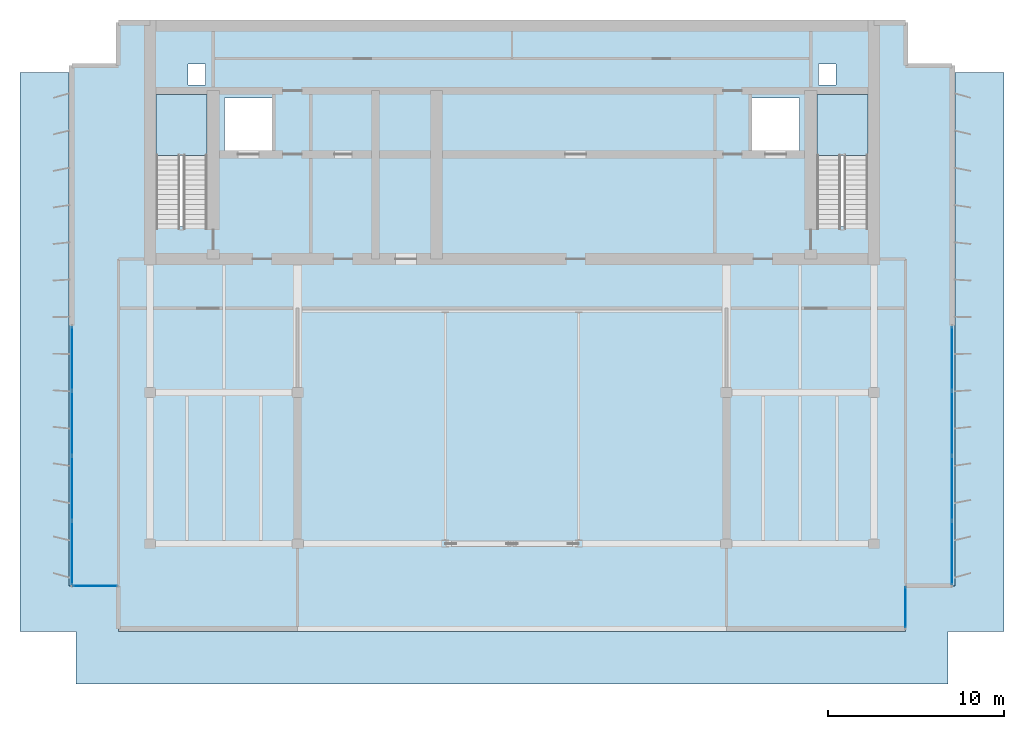
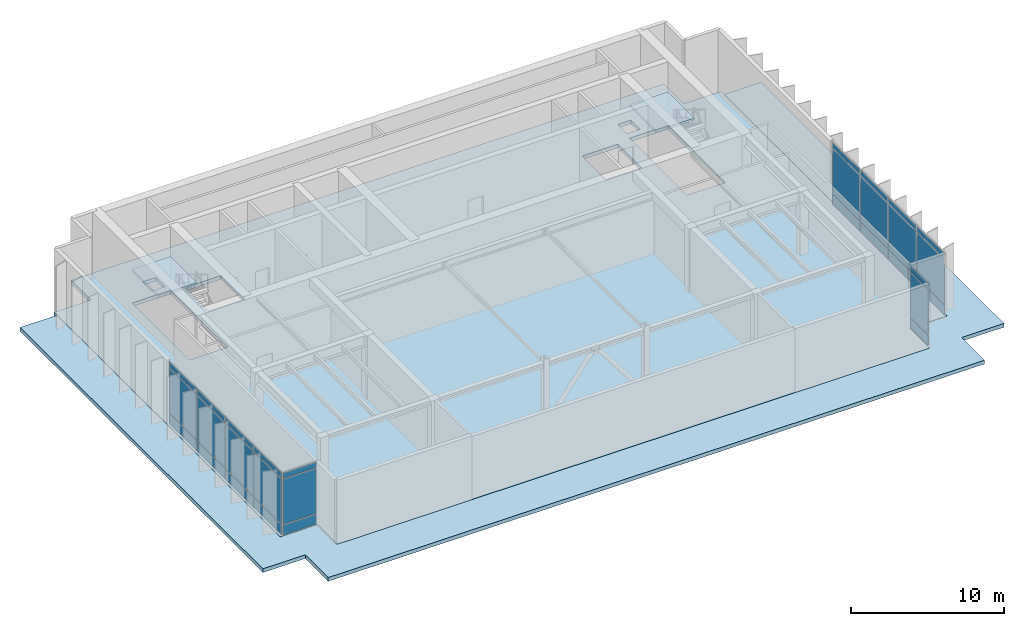
# One storey, part 4 of 10: 30 plates, 4 slabs, 6 elements without a shape of their own.
"""IFC4 building model written with IfcOpenShell, lengths in metres."""

import ifcopenshell
import ifcopenshell.guid

model = None  # the IFC model being written
_history = None  # IfcOwnerHistory: only IFC2X3 demands one
_inside = {}  # id of a spatial element -> (the spatial element, [elements in it])
_under = {}  # id of a project, library or spatial element -> (it, [spatial elements below it])
_declared = {}  # id of a project -> (the project, [libraries it declares])
_typed = {}  # id of a type object -> (the type object, [elements of that type])
_made_of = {}  # id of a material, layer set ... -> (it, [elements and type objects made of it])


def new_model(schema):
    """Start an empty IFC model of exactly this schema.

    Asked for "IFC4X3", IfcOpenShell would pick the latest addendum, in which some entities
    have other attributes; the version numbers below select the first issue.
    IFC2X3 requires an IfcOwnerHistory on every rooted entity: one is made here for all.
    """
    global model, _history
    if schema == "IFC4X3":
        model = ifcopenshell.file(schema_version=(4, 3, 0, 0))
    else:
        model = ifcopenshell.file(schema=schema)
    _inside.clear()
    _under.clear()
    _declared.clear()
    _typed.clear()
    _made_of.clear()
    _history = None
    if model.schema == "IFC2X3":
        org = make("IfcOrganization", Name="unknown")
        user = make(
            "IfcPersonAndOrganization",
            ThePerson=make("IfcPerson", FamilyName="unknown"),
            TheOrganization=org,
        )
        app = make(
            "IfcApplication",
            ApplicationDeveloper=org,
            Version="unknown",
            ApplicationFullName="unknown",
            ApplicationIdentifier="unknown",
        )
        _history = make(
            "IfcOwnerHistory",
            OwningUser=user,
            OwningApplication=app,
            ChangeAction="ADDED",
            CreationDate=0,
        )
    return model


def make(cls, **values):
    """One entity of the class cls with the attributes given. An attribute that is None is left unset."""
    return model.create_entity(
        cls, **{name: value for name, value in values.items() if value is not None}
    )


def rooted(cls, **values):
    """An entity with a GlobalId (a new one), such as an element, a storey or a relation."""
    return make(cls, GlobalId=ifcopenshell.guid.new(), OwnerHistory=_history, **values)


def si_unit(unit_type, name, prefix=None):
    """IfcSIUnit, for example si_unit("LENGTHUNIT", "METRE", prefix="MILLI")."""
    return make("IfcSIUnit", UnitType=unit_type, Prefix=prefix, Name=name)


def assignment(units):
    """IfcUnitAssignment: the units of a project."""
    return None if units is None else make("IfcUnitAssignment", Units=units)


def point(xyz):
    """IfcCartesianPoint."""
    return None if xyz is None else make("IfcCartesianPoint", Coordinates=xyz)


def direction(xyz):
    """IfcDirection."""
    return None if xyz is None else make("IfcDirection", DirectionRatios=xyz)


def frame(location, z_axis=None, x_axis=None):
    """IfcAxis2Placement3D, a coordinate frame: its origin and axes. An axis left out is left unset."""
    return make(
        "IfcAxis2Placement3D",
        Location=point(location),
        Axis=direction(z_axis),
        RefDirection=direction(x_axis),
    )


def frame_2d(location, x_axis=None):
    """IfcAxis2Placement2D, a coordinate frame in the plane: its origin and x axis."""
    return make(
        "IfcAxis2Placement2D", Location=point(location), RefDirection=direction(x_axis)
    )


def origin():
    """The frame at (0, 0, 0) with its axes left unset."""
    return frame((0.0, 0.0, 0.0))


def origin_2d():
    """The frame at (0, 0) in the plane with its x axis left unset."""
    return frame_2d((0.0, 0.0))


def place(relative_to, where):
    """IfcLocalPlacement: puts the frame where relative to a parent placement (None: the world)."""
    return make(
        "IfcLocalPlacement", PlacementRelTo=relative_to, RelativePlacement=where
    )


def context(
    kind, dimensions, precision=None, world=None, true_north=None, identifier=None
):
    """IfcGeometricRepresentationContext, for example the 3D "Model" context."""
    return make(
        "IfcGeometricRepresentationContext",
        ContextIdentifier=identifier,
        ContextType=kind,
        CoordinateSpaceDimension=dimensions,
        Precision=precision,
        WorldCoordinateSystem=world,
        TrueNorth=true_north,
    )


def subcontext(parent, identifier, kind, view, scale=None):
    """IfcGeometricRepresentationSubContext, for example "Body" below "Model"."""
    return make(
        "IfcGeometricRepresentationSubContext",
        ContextIdentifier=identifier,
        ContextType=kind,
        ParentContext=parent,
        TargetScale=scale,
        TargetView=view,
    )


def project(units=None, contexts=None):
    """IfcProject with its units and contexts."""
    return rooted(
        "IfcProject",
        Name="project",
        RepresentationContexts=contexts,
        UnitsInContext=assignment(units),
    )


def spatial(cls, under=None, at=None, **own):
    """A site, building, storey or space (cls), placed at a placement, below another one or the project."""
    s = rooted(cls, ObjectPlacement=at, **own)
    if under is not None:
        _under.setdefault(under.id(), (under, []))[1].append(s)
    return s


def polyline(points):
    """IfcPolyline through the points."""
    return make("IfcPolyline", Points=[point(p) for p in points])


def profile(cls, at=None, kind="AREA", **sizes):
    """A parametric profile (cls). Its sizes go by their IFC names, for example OverallWidth=200.0."""
    return make(cls, ProfileType=kind, Position=at, **sizes)


def rectangle(**sizes):
    """IfcRectangleProfileDef."""
    return profile("IfcRectangleProfileDef", **sizes)


def outline(outer, holes=None, kind="AREA"):
    """IfcArbitraryClosedProfileDef: a profile drawn as a closed curve; with holes, ...WithVoids."""
    if holes is None:
        return make("IfcArbitraryClosedProfileDef", ProfileType=kind, OuterCurve=outer)
    return make(
        "IfcArbitraryProfileDefWithVoids",
        ProfileType=kind,
        OuterCurve=outer,
        InnerCurves=holes,
    )


def extrude(swept, where, along, depth):
    """IfcExtrudedAreaSolid: the profile swept, set in the frame where, extruded along a direction by depth."""
    return make(
        "IfcExtrudedAreaSolid",
        SweptArea=swept,
        Position=where,
        ExtrudedDirection=direction(along),
        Depth=depth,
    )


def shape(context_of_items, identifier, shape_type, items):
    """IfcShapeRepresentation: the items that make up one representation, for example the "Body"."""
    return make(
        "IfcShapeRepresentation",
        ContextOfItems=context_of_items,
        RepresentationIdentifier=identifier,
        RepresentationType=shape_type,
        Items=items,
    )


def material(Name=None, Category=None):
    """IfcMaterial."""
    return make("IfcMaterial", Name=Name, Category=Category)


def layer(
    of_material, thickness, ventilated=None, Name=None, Category=None, Priority=None
):
    """IfcMaterialLayer: one layer of a wall or slab, of a material (None: an air gap)."""
    return make(
        "IfcMaterialLayer",
        Material=of_material,
        LayerThickness=thickness,
        IsVentilated=ventilated,
        Name=Name,
        Category=Category,
        Priority=Priority,
    )


def layer_set(layers, Name=None):
    """IfcMaterialLayerSet."""
    return make("IfcMaterialLayerSet", MaterialLayers=layers, LayerSetName=Name)


def made_of(thing, what):
    """Note that an element or type object is made of a material, layer set ...; save() writes the relation."""
    if what is not None:
        _made_of.setdefault(what.id(), (what, []))[1].append(thing)
    return thing


def type_object(cls, material=None, **own):
    """A type object (cls), such as IfcWallType, which elements share."""
    return made_of(rooted(cls, **own), material)


def element(
    cls,
    number,
    at=None,
    inside=None,
    cuts=None,
    type_object=None,
    material=None,
    context=None,
    identifier="Body",
    shape_type=None,
    held_by="IfcProductDefinitionShape",
    body=None,
    shapes=None,
    **own,
):
    """One element of the class cls, such as IfcWall. Its Tag is "e" and its number.

    at: its placement. inside: the storey or other place that contains it. cuts: it is an
    opening in that element (IfcRelVoidsElement). A single representation is given by context,
    identifier, shape_type and body (its items); several are given by shapes. held_by: the class
    of the entity that holds the representations. save() writes the other relations.
    """
    e = rooted(cls, Tag="e%d" % number, ObjectPlacement=at, **own)
    if body is not None:
        shapes = [shape(context, identifier, shape_type, body)]
    if shapes is not None:
        e.Representation = make(held_by, Representations=shapes)
    if inside is not None:
        _inside.setdefault(inside.id(), (inside, []))[1].append(e)
    if cuts is not None:
        rooted(
            "IfcRelVoidsElement", RelatingBuildingElement=cuts, RelatedOpeningElement=e
        )
    if type_object is not None:
        _typed.setdefault(type_object.id(), (type_object, []))[1].append(e)
    return made_of(e, material)


def aggregate(whole, parts):
    """IfcRelAggregates: a whole, such as a stair, and the parts it consists of."""
    return rooted("IfcRelAggregates", RelatingObject=whole, RelatedObjects=parts)


def save(model, path):
    """Write the relations noted so far, then the file.

    IfcRelAggregates (storeys below a building ...), IfcRelContainedInSpatialStructure (elements
    in a storey), IfcRelDefinesByType, IfcRelAssociatesMaterial and IfcRelDeclares: one each for
    every whole, place, type object, material and project.
    """
    for whole, parts in _under.values():
        aggregate(whole, parts)
    for where, things in _inside.values():
        rooted(
            "IfcRelContainedInSpatialStructure",
            RelatedElements=things,
            RelatingStructure=where,
        )
    for kind, things in _typed.values():
        rooted("IfcRelDefinesByType", RelatedObjects=things, RelatingType=kind)
    for what, things in _made_of.values():
        rooted("IfcRelAssociatesMaterial", RelatedObjects=things, RelatingMaterial=what)
    for by, libraries in _declared.values():
        rooted("IfcRelDeclares", RelatingContext=by, RelatedDefinitions=libraries)
    model.write(path)


model = new_model("IFC4")

# Units and contexts
model_context = context("Model", 3, precision=1e-05, world=origin(), true_north=direction((0.0, 1.0)))
body_context = subcontext(model_context, "Body", "Model", "MODEL_VIEW")
ifc_project = project(units=[si_unit("LENGTHUNIT", "METRE"), si_unit("AREAUNIT", "SQUARE_METRE"), si_unit("VOLUMEUNIT", "CUBIC_METRE"), si_unit("PLANEANGLEUNIT", "RADIAN"), si_unit("MASSUNIT", "GRAM", prefix="KILO")], contexts=[model_context])

# Site, building, storey
site_placement = place(None, origin())
site = spatial("IfcSite", under=ifc_project, at=site_placement, CompositionType="ELEMENT")
building_placement = place(site_placement, origin())
building = spatial("IfcBuilding", under=site, at=building_placement, Name="Caelmar Bay Residences", CompositionType="ELEMENT")
storey_placement = place(building_placement, frame((0.0, 0.0, 279.39990234375)))
storey = spatial("IfcBuildingStorey", under=building, at=storey_placement, Name="L78", CompositionType="ELEMENT", Elevation=279.39990234375)

# Curtain wall, plates
ifc_material_1 = material(Name="Anodised bronze aluminium 6063-T6 and laminated glass", Category="aluminium")
ifc_layer_1 = layer(ifc_material_1, 0.179931640625)
ifc_layer_set_1 = layer_set([ifc_layer_1], Name="Anodised bronze aluminium 6063-T6 and laminated glass")
curtain_wall_type_1 = type_object("IfcCurtainWallType", Name="CW6-NTC", PredefinedType="NOTDEFINED", material=ifc_layer_set_1)
curtain_wall_1_placement = place(storey_placement, origin())
curtain_wall_1 = element("IfcCurtainWall", 1, at=curtain_wall_1_placement, inside=storey, type_object=curtain_wall_type_1, Name="CW6 curtain wall L78", PredefinedType="NOTDEFINED")
ifc_material_2 = material(Name="Bronze-tinted laminated low-E hurricane glass 28 mm", Category="glass")
ifc_layer_2 = layer(ifc_material_2, 0.028076171875)
ifc_layer_set_2 = layer_set([ifc_layer_2], Name="Bronze-tinted laminated low-E hurricane glass 28 mm")
plate_type_1 = type_object("IfcPlateType", Name="CWP-GLZ28", PredefinedType="CURTAIN_PANEL", material=ifc_layer_set_2)
plate_1_placement = place(storey_placement, frame((15.175048828125, 18.39990234375, 0.080078125), z_axis=(0.0, 0.0, 1.0), x_axis=(1.0, 0.0, 0.0)))
plate_1 = element("IfcPlate", 2, at=plate_1_placement, type_object=plate_type_1, Name="CW6 panel 1.1", PredefinedType="CURTAIN_PANEL", context=body_context, shape_type="SweptSolid", body=[
    extrude(rectangle(XDim=2.489990234375, YDim=0.028076171875, at=origin_2d()), origin(), (0.0, 0.0, 1.0), 0.780029296875),
])
plate_2_placement = place(storey_placement, frame((15.175048828125, 18.39990234375, 0.93994140625), z_axis=(0.0, 0.0, 1.0), x_axis=(1.0, 0.0, 0.0)))
plate_2 = element("IfcPlate", 3, at=plate_2_placement, type_object=plate_type_1, Name="CW6 panel 1.2", PredefinedType="CURTAIN_PANEL", context=body_context, shape_type="SweptSolid", body=[
    extrude(rectangle(XDim=2.489990234375, YDim=0.028076171875, at=origin_2d()), origin(), (0.0, 0.0, 1.0), 3.570068359375),
])
plate_3_placement = place(storey_placement, frame((15.175048828125, 18.39990234375, 4.59033203125), z_axis=(0.0, 0.0, 1.0), x_axis=(1.0, 0.0, 0.0)))
plate_3 = element("IfcPlate", 4, at=plate_3_placement, type_object=plate_type_1, Name="CW6 panel 1.3", PredefinedType="CURTAIN_PANEL", context=body_context, shape_type="SweptSolid", body=[
    extrude(rectangle(XDim=2.489990234375, YDim=0.028076171875, at=origin_2d()), origin(), (0.0, 0.0, 1.0), 0.429931640625),
])
aggregate(curtain_wall_1, [plate_1, plate_2, plate_3])

curtain_wall_2_placement = place(storey_placement, origin())
curtain_wall_2 = element("IfcCurtainWall", 5, at=curtain_wall_2_placement, inside=storey, type_object=curtain_wall_type_1, Name="CW6 curtain wall L78", PredefinedType="NOTDEFINED")
plate_4_placement = place(storey_placement, frame((61.300048828125, 17.175048828125, 0.080078125), z_axis=(0.0, 0.0, 1.0), x_axis=(0.0, 1.0, 0.0)))
plate_4 = element("IfcPlate", 6, at=plate_4_placement, type_object=plate_type_1, Name="CW6 panel 1.1", PredefinedType="CURTAIN_PANEL", context=body_context, shape_type="SweptSolid", body=[
    extrude(rectangle(XDim=2.2900390625, YDim=0.028076171875, at=origin_2d()), origin(), (0.0, 0.0, 1.0), 0.780029296875),
])
plate_5_placement = place(storey_placement, frame((61.300048828125, 17.175048828125, 0.93994140625), z_axis=(0.0, 0.0, 1.0), x_axis=(0.0, 1.0, 0.0)))
plate_5 = element("IfcPlate", 7, at=plate_5_placement, type_object=plate_type_1, Name="CW6 panel 1.2", PredefinedType="CURTAIN_PANEL", context=body_context, shape_type="SweptSolid", body=[
    extrude(rectangle(XDim=2.2900390625, YDim=0.028076171875, at=origin_2d()), origin(), (0.0, 0.0, 1.0), 3.570068359375),
])
plate_6_placement = place(storey_placement, frame((61.300048828125, 17.175048828125, 4.59033203125), z_axis=(0.0, 0.0, 1.0), x_axis=(0.0, 1.0, 0.0)))
plate_6 = element("IfcPlate", 8, at=plate_6_placement, type_object=plate_type_1, Name="CW6 panel 1.3", PredefinedType="CURTAIN_PANEL", context=body_context, shape_type="SweptSolid", body=[
    extrude(rectangle(XDim=2.2900390625, YDim=0.028076171875, at=origin_2d()), origin(), (0.0, 0.0, 1.0), 0.429931640625),
])
aggregate(curtain_wall_2, [plate_4, plate_5, plate_6])

ifc_layer_3 = layer(ifc_material_1, 0.179931640625)
ifc_layer_set_3 = layer_set([ifc_layer_3], Name="Anodised bronze aluminium 6063-T6 and laminated glass")
curtain_wall_type_2 = type_object("IfcCurtainWallType", Name="CW7-CRN", PredefinedType="NOTDEFINED", material=ifc_layer_set_3)
curtain_wall_3_placement = place(storey_placement, origin())
curtain_wall_3 = element("IfcCurtainWall", 9, at=curtain_wall_3_placement, inside=storey, type_object=curtain_wall_type_2, Name="CW7 curtain wall L78", PredefinedType="NOTDEFINED")
ifc_material_3 = material(Name="Bronze-tinted laminated low-E hurricane glass 32 mm", Category="glass")
ifc_layer_4 = layer(ifc_material_3, 0.031982421875)
ifc_layer_set_4 = layer_set([ifc_layer_4], Name="Bronze-tinted laminated low-E hurricane glass 32 mm")
plate_type_2 = type_object("IfcPlateType", Name="CWP-GLZ32", PredefinedType="CURTAIN_PANEL", material=ifc_layer_set_4)
plate_7_placement = place(storey_placement, frame((13.85009765625, 20.27001953125, 0.080078125), z_axis=(0.0, 0.0, 1.0), x_axis=(0.0, 1.0, 0.0)))
plate_7 = element("IfcPlate", 10, at=plate_7_placement, type_object=plate_type_2, Name="CW7 panel 1.1", PredefinedType="CURTAIN_PANEL", context=body_context, shape_type="SweptSolid", body=[
    extrude(rectangle(XDim=3.580078125, YDim=0.031982421875, at=origin_2d()), origin(), (0.0, 0.0, 1.0), 0.780029296875),
])
plate_8_placement = place(storey_placement, frame((13.85009765625, 20.27001953125, 0.93994140625), z_axis=(0.0, 0.0, 1.0), x_axis=(0.0, 1.0, 0.0)))
plate_8 = element("IfcPlate", 11, at=plate_8_placement, type_object=plate_type_2, Name="CW7 panel 1.2", PredefinedType="CURTAIN_PANEL", context=body_context, shape_type="SweptSolid", body=[
    extrude(rectangle(XDim=3.580078125, YDim=0.031982421875, at=origin_2d()), origin(), (0.0, 0.0, 1.0), 3.570068359375),
])
plate_9_placement = place(storey_placement, frame((13.85009765625, 20.27001953125, 4.59033203125), z_axis=(0.0, 0.0, 1.0), x_axis=(0.0, 1.0, 0.0)))
plate_9 = element("IfcPlate", 12, at=plate_9_placement, type_object=plate_type_2, Name="CW7 panel 1.3", PredefinedType="CURTAIN_PANEL", context=body_context, shape_type="SweptSolid", body=[
    extrude(rectangle(XDim=3.580078125, YDim=0.031982421875, at=origin_2d()), origin(), (0.0, 0.0, 1.0), 0.429931640625),
])
plate_10_placement = place(storey_placement, frame((13.85009765625, 23.949951171875, 0.080078125), z_axis=(0.0, 0.0, 1.0), x_axis=(0.0, 1.0, 0.0)))
plate_10 = element("IfcPlate", 13, at=plate_10_placement, type_object=plate_type_2, Name="CW7 panel 2.1", PredefinedType="CURTAIN_PANEL", context=body_context, shape_type="SweptSolid", body=[
    extrude(rectangle(XDim=3.6201171875, YDim=0.031982421875, at=origin_2d()), origin(), (0.0, 0.0, 1.0), 0.780029296875),
])
plate_11_placement = place(storey_placement, frame((13.85009765625, 23.949951171875, 0.93994140625), z_axis=(0.0, 0.0, 1.0), x_axis=(0.0, 1.0, 0.0)))
plate_11 = element("IfcPlate", 14, at=plate_11_placement, type_object=plate_type_2, Name="CW7 panel 2.2", PredefinedType="CURTAIN_PANEL", context=body_context, shape_type="SweptSolid", body=[
    extrude(rectangle(XDim=3.6201171875, YDim=0.031982421875, at=origin_2d()), origin(), (0.0, 0.0, 1.0), 3.570068359375),
])
plate_12_placement = place(storey_placement, frame((13.85009765625, 23.949951171875, 4.59033203125), z_axis=(0.0, 0.0, 1.0), x_axis=(0.0, 1.0, 0.0)))
plate_12 = element("IfcPlate", 15, at=plate_12_placement, type_object=plate_type_2, Name="CW7 panel 2.3", PredefinedType="CURTAIN_PANEL", context=body_context, shape_type="SweptSolid", body=[
    extrude(rectangle(XDim=3.6201171875, YDim=0.031982421875, at=origin_2d()), origin(), (0.0, 0.0, 1.0), 0.429931640625),
])
plate_13_placement = place(storey_placement, frame((13.85009765625, 27.64990234375, 0.080078125), z_axis=(0.0, 0.0, 1.0), x_axis=(0.0, 1.0, 0.0)))
plate_13 = element("IfcPlate", 16, at=plate_13_placement, type_object=plate_type_2, Name="CW7 panel 3.1", PredefinedType="CURTAIN_PANEL", context=body_context, shape_type="SweptSolid", body=[
    extrude(rectangle(XDim=3.6201171875, YDim=0.031982421875, at=origin_2d()), origin(), (0.0, 0.0, 1.0), 0.780029296875),
])
plate_14_placement = place(storey_placement, frame((13.85009765625, 27.64990234375, 0.93994140625), z_axis=(0.0, 0.0, 1.0), x_axis=(0.0, 1.0, 0.0)))
plate_14 = element("IfcPlate", 17, at=plate_14_placement, type_object=plate_type_2, Name="CW7 panel 3.2", PredefinedType="CURTAIN_PANEL", context=body_context, shape_type="SweptSolid", body=[
    extrude(rectangle(XDim=3.6201171875, YDim=0.031982421875, at=origin_2d()), origin(), (0.0, 0.0, 1.0), 3.570068359375),
])
plate_15_placement = place(storey_placement, frame((13.85009765625, 27.64990234375, 4.59033203125), z_axis=(0.0, 0.0, 1.0), x_axis=(0.0, 1.0, 0.0)))
plate_15 = element("IfcPlate", 18, at=plate_15_placement, type_object=plate_type_2, Name="CW7 panel 3.3", PredefinedType="CURTAIN_PANEL", context=body_context, shape_type="SweptSolid", body=[
    extrude(rectangle(XDim=3.6201171875, YDim=0.031982421875, at=origin_2d()), origin(), (0.0, 0.0, 1.0), 0.429931640625),
])
plate_16_placement = place(storey_placement, frame((13.85009765625, 31.330078125, 0.080078125), z_axis=(0.0, 0.0, 1.0), x_axis=(0.0, 1.0, 0.0)))
plate_16 = element("IfcPlate", 19, at=plate_16_placement, type_object=plate_type_2, Name="CW7 panel 4.1", PredefinedType="CURTAIN_PANEL", context=body_context, shape_type="SweptSolid", body=[
    extrude(rectangle(XDim=3.580078125, YDim=0.031982421875, at=origin_2d()), origin(), (0.0, 0.0, 1.0), 0.780029296875),
])
plate_17_placement = place(storey_placement, frame((13.85009765625, 31.330078125, 0.93994140625), z_axis=(0.0, 0.0, 1.0), x_axis=(0.0, 1.0, 0.0)))
plate_17 = element("IfcPlate", 20, at=plate_17_placement, type_object=plate_type_2, Name="CW7 panel 4.2", PredefinedType="CURTAIN_PANEL", context=body_context, shape_type="SweptSolid", body=[
    extrude(rectangle(XDim=3.580078125, YDim=0.031982421875, at=origin_2d()), origin(), (0.0, 0.0, 1.0), 3.570068359375),
])
plate_18_placement = place(storey_placement, frame((13.85009765625, 31.330078125, 4.59033203125), z_axis=(0.0, 0.0, 1.0), x_axis=(0.0, 1.0, 0.0)))
plate_18 = element("IfcPlate", 21, at=plate_18_placement, type_object=plate_type_2, Name="CW7 panel 4.3", PredefinedType="CURTAIN_PANEL", context=body_context, shape_type="SweptSolid", body=[
    extrude(rectangle(XDim=3.580078125, YDim=0.031982421875, at=origin_2d()), origin(), (0.0, 0.0, 1.0), 0.429931640625),
])
aggregate(curtain_wall_3, [plate_7, plate_8, plate_9, plate_10, plate_11, plate_12, plate_13, plate_14, plate_15, plate_16, plate_17, plate_18])

curtain_wall_4_placement = place(storey_placement, origin())
curtain_wall_4 = element("IfcCurtainWall", 22, at=curtain_wall_4_placement, inside=storey, type_object=curtain_wall_type_2, Name="CW7 curtain wall L78", PredefinedType="NOTDEFINED")
plate_19_placement = place(storey_placement, frame((63.949951171875, 31.330078125, 0.080078125), z_axis=(0.0, 0.0, 1.0), x_axis=(0.0, -1.0, 0.0)))
plate_19 = element("IfcPlate", 23, at=plate_19_placement, type_object=plate_type_2, Name="CW7 panel 1.1", PredefinedType="CURTAIN_PANEL", context=body_context, shape_type="SweptSolid", body=[
    extrude(rectangle(XDim=3.580078125, YDim=0.031982421875, at=origin_2d()), origin(), (0.0, 0.0, 1.0), 0.780029296875),
])
plate_20_placement = place(storey_placement, frame((63.949951171875, 31.330078125, 0.93994140625), z_axis=(0.0, 0.0, 1.0), x_axis=(0.0, -1.0, 0.0)))
plate_20 = element("IfcPlate", 24, at=plate_20_placement, type_object=plate_type_2, Name="CW7 panel 1.2", PredefinedType="CURTAIN_PANEL", context=body_context, shape_type="SweptSolid", body=[
    extrude(rectangle(XDim=3.580078125, YDim=0.031982421875, at=origin_2d()), origin(), (0.0, 0.0, 1.0), 3.570068359375),
])
plate_21_placement = place(storey_placement, frame((63.949951171875, 31.330078125, 4.59033203125), z_axis=(0.0, 0.0, 1.0), x_axis=(0.0, -1.0, 0.0)))
plate_21 = element("IfcPlate", 25, at=plate_21_placement, type_object=plate_type_2, Name="CW7 panel 1.3", PredefinedType="CURTAIN_PANEL", context=body_context, shape_type="SweptSolid", body=[
    extrude(rectangle(XDim=3.580078125, YDim=0.031982421875, at=origin_2d()), origin(), (0.0, 0.0, 1.0), 0.429931640625),
])
plate_22_placement = place(storey_placement, frame((63.949951171875, 27.64990234375, 0.080078125), z_axis=(0.0, 0.0, 1.0), x_axis=(0.0, -1.0, 0.0)))
plate_22 = element("IfcPlate", 26, at=plate_22_placement, type_object=plate_type_2, Name="CW7 panel 2.1", PredefinedType="CURTAIN_PANEL", context=body_context, shape_type="SweptSolid", body=[
    extrude(rectangle(XDim=3.6201171875, YDim=0.031982421875, at=origin_2d()), origin(), (0.0, 0.0, 1.0), 0.780029296875),
])
plate_23_placement = place(storey_placement, frame((63.949951171875, 27.64990234375, 0.93994140625), z_axis=(0.0, 0.0, 1.0), x_axis=(0.0, -1.0, 0.0)))
plate_23 = element("IfcPlate", 27, at=plate_23_placement, type_object=plate_type_2, Name="CW7 panel 2.2", PredefinedType="CURTAIN_PANEL", context=body_context, shape_type="SweptSolid", body=[
    extrude(rectangle(XDim=3.6201171875, YDim=0.031982421875, at=origin_2d()), origin(), (0.0, 0.0, 1.0), 3.570068359375),
])
plate_24_placement = place(storey_placement, frame((63.949951171875, 27.64990234375, 4.59033203125), z_axis=(0.0, 0.0, 1.0), x_axis=(0.0, -1.0, 0.0)))
plate_24 = element("IfcPlate", 28, at=plate_24_placement, type_object=plate_type_2, Name="CW7 panel 2.3", PredefinedType="CURTAIN_PANEL", context=body_context, shape_type="SweptSolid", body=[
    extrude(rectangle(XDim=3.6201171875, YDim=0.031982421875, at=origin_2d()), origin(), (0.0, 0.0, 1.0), 0.429931640625),
])
plate_25_placement = place(storey_placement, frame((63.949951171875, 23.949951171875, 0.080078125), z_axis=(0.0, 0.0, 1.0), x_axis=(0.0, -1.0, 0.0)))
plate_25 = element("IfcPlate", 29, at=plate_25_placement, type_object=plate_type_2, Name="CW7 panel 3.1", PredefinedType="CURTAIN_PANEL", context=body_context, shape_type="SweptSolid", body=[
    extrude(rectangle(XDim=3.6201171875, YDim=0.031982421875, at=origin_2d()), origin(), (0.0, 0.0, 1.0), 0.780029296875),
])
plate_26_placement = place(storey_placement, frame((63.949951171875, 23.949951171875, 0.93994140625), z_axis=(0.0, 0.0, 1.0), x_axis=(0.0, -1.0, 0.0)))
plate_26 = element("IfcPlate", 30, at=plate_26_placement, type_object=plate_type_2, Name="CW7 panel 3.2", PredefinedType="CURTAIN_PANEL", context=body_context, shape_type="SweptSolid", body=[
    extrude(rectangle(XDim=3.6201171875, YDim=0.031982421875, at=origin_2d()), origin(), (0.0, 0.0, 1.0), 3.570068359375),
])
plate_27_placement = place(storey_placement, frame((63.949951171875, 23.949951171875, 4.59033203125), z_axis=(0.0, 0.0, 1.0), x_axis=(0.0, -1.0, 0.0)))
plate_27 = element("IfcPlate", 31, at=plate_27_placement, type_object=plate_type_2, Name="CW7 panel 3.3", PredefinedType="CURTAIN_PANEL", context=body_context, shape_type="SweptSolid", body=[
    extrude(rectangle(XDim=3.6201171875, YDim=0.031982421875, at=origin_2d()), origin(), (0.0, 0.0, 1.0), 0.429931640625),
])
plate_28_placement = place(storey_placement, frame((63.949951171875, 20.27001953125, 0.080078125), z_axis=(0.0, 0.0, 1.0), x_axis=(0.0, -1.0, 0.0)))
plate_28 = element("IfcPlate", 32, at=plate_28_placement, type_object=plate_type_2, Name="CW7 panel 4.1", PredefinedType="CURTAIN_PANEL", context=body_context, shape_type="SweptSolid", body=[
    extrude(rectangle(XDim=3.580078125, YDim=0.031982421875, at=origin_2d()), origin(), (0.0, 0.0, 1.0), 0.780029296875),
])
plate_29_placement = place(storey_placement, frame((63.949951171875, 20.27001953125, 0.93994140625), z_axis=(0.0, 0.0, 1.0), x_axis=(0.0, -1.0, 0.0)))
plate_29 = element("IfcPlate", 33, at=plate_29_placement, type_object=plate_type_2, Name="CW7 panel 4.2", PredefinedType="CURTAIN_PANEL", context=body_context, shape_type="SweptSolid", body=[
    extrude(rectangle(XDim=3.580078125, YDim=0.031982421875, at=origin_2d()), origin(), (0.0, 0.0, 1.0), 3.570068359375),
])
plate_30_placement = place(storey_placement, frame((63.949951171875, 20.27001953125, 4.59033203125), z_axis=(0.0, 0.0, 1.0), x_axis=(0.0, -1.0, 0.0)))
plate_30 = element("IfcPlate", 34, at=plate_30_placement, type_object=plate_type_2, Name="CW7 panel 4.3", PredefinedType="CURTAIN_PANEL", context=body_context, shape_type="SweptSolid", body=[
    extrude(rectangle(XDim=3.580078125, YDim=0.031982421875, at=origin_2d()), origin(), (0.0, 0.0, 1.0), 0.429931640625),
])
aggregate(curtain_wall_4, [plate_19, plate_20, plate_21, plate_22, plate_23, plate_24, plate_25, plate_26, plate_27, plate_28, plate_29, plate_30])

# Slab
ifc_material_4 = material(Name="Concrete f'c 40 MPa (6,000 psi)", Category="concrete")
ifc_layer_5 = layer(ifc_material_4, 0.300048828125)
ifc_layer_set_5 = layer_set([ifc_layer_5], Name="Concrete f'c 40 MPa (6,000 psi)")
slab_type_1 = type_object("IfcSlabType", Name="SLB-CRN-300", PredefinedType="ROOF", material=ifc_layer_set_5)
slab_1_placement = place(storey_placement, frame((0.0, 0.0, -0.2998046875)))
element("IfcSlab", 35, at=slab_1_placement, inside=storey, type_object=slab_type_1, Name="L78 Exterior Stepped Terrace Roof Slab 1", PredefinedType="ROOF", context=body_context, shape_type="SweptSolid", body=[
    extrude(outline(polyline([(64.10009765625, 47.60009765625), (64.10009765625, 18.39990234375), (61.300048828125, 18.39990234375), (61.300048828125, 15.800048828125), (16.5, 15.800048828125), (16.5, 18.39990234375), (13.699951171875, 18.39990234375), (13.699951171875, 47.60009765625), (10.89990234375, 47.60009765625), (10.89990234375, 15.800048828125), (14.10009765625, 15.800048828125), (14.10009765625, 12.800048828125), (63.699951171875, 12.800048828125), (63.699951171875, 15.800048828125), (66.89990234375, 15.800048828125), (66.89990234375, 47.60009765625), (64.10009765625, 47.60009765625)])), origin(), (0.0, 0.0, 1.0), 0.2998046875),
])

# Stair, slab
stair_type = type_object("IfcStairType", Name="ST-TAL-170", PredefinedType="HALF_TURN_STAIR", material=ifc_material_4)
stair_1_placement = place(storey_placement, origin())
stair_1 = element("IfcStair", 36, at=stair_1_placement, inside=storey, type_object=stair_type, Name="L78 West Smokeproof Exit Stair ST1", PredefinedType="HALF_TURN_STAIR")
ifc_layer_6 = layer(ifc_material_4, 0.199951171875)
ifc_layer_set_6 = layer_set([ifc_layer_6], Name="Concrete f'c 40 MPa (6,000 psi)")
slab_type_2 = type_object("IfcSlabType", Name="SLB-LND-200", PredefinedType="LANDING", material=ifc_layer_set_6)
slab_2_placement = place(storey_placement, frame((0.0, 0.0, 2.5)))
slab_2 = element("IfcSlab", 37, at=slab_2_placement, type_object=slab_type_2, Name="ST1 landing 1", PredefinedType="LANDING", context=body_context, shape_type="SweptSolid", body=[
    extrude(outline(polyline([(21.550048828125, 42.89990234375), (21.550048828125, 46.35009765625), (18.64990234375, 46.35009765625), (18.64990234375, 42.89990234375), (21.550048828125, 42.89990234375)])), origin(), (0.0, 0.0, 1.0), 0.2001953125),
])
aggregate(stair_1, [slab_2])

stair_2_placement = place(storey_placement, origin())
stair_2 = element("IfcStair", 38, at=stair_2_placement, inside=storey, type_object=stair_type, Name="L78 East Smokeproof Exit Stair ST2", PredefinedType="HALF_TURN_STAIR")
slab_3_placement = place(storey_placement, frame((0.0, 0.0, 2.5)))
slab_3 = element("IfcSlab", 39, at=slab_3_placement, type_object=slab_type_2, Name="ST2 landing 1", PredefinedType="LANDING", context=body_context, shape_type="SweptSolid", body=[
    extrude(outline(polyline([(59.14990234375, 42.89990234375), (59.14990234375, 46.35009765625), (56.25, 46.35009765625), (56.25, 42.89990234375), (59.14990234375, 42.89990234375)])), origin(), (0.0, 0.0, 1.0), 0.2001953125),
])
aggregate(stair_2, [slab_3])

# Slab
ifc_layer_7 = layer(ifc_material_4, 0.300048828125)
ifc_layer_set_7 = layer_set([ifc_layer_7], Name="Concrete f'c 40 MPa (6,000 psi)")
slab_type_3 = type_object("IfcSlabType", Name="SLB-POD-300", PredefinedType="FLOOR", material=ifc_layer_set_7)
slab_4_placement = place(storey_placement, frame((0.0, 0.0, -0.2998046875)))
element("IfcSlab", 40, at=slab_4_placement, inside=storey, type_object=slab_type_3, Name="L78 Structural Floor Slab", PredefinedType="FLOOR", context=body_context, shape_type="SweptSolid", body=[
    extrude(outline(polyline([(16.5, 15.800048828125), (61.300048828125, 15.800048828125), (61.300048828125, 18.39990234375), (64.10009765625, 18.39990234375), (64.10009765625, 48.0), (61.300048828125, 48.0), (61.300048828125, 50.60009765625), (16.5, 50.60009765625), (16.5, 48.0), (13.699951171875, 48.0), (13.699951171875, 18.39990234375), (16.5, 18.39990234375), (16.5, 15.800048828125)]), holes=[polyline([(18.64990234375, 38.85009765625), (21.550048828125, 38.85009765625), (21.550048828125, 46.35009765625), (18.64990234375, 46.35009765625), (18.64990234375, 38.85009765625)]), polyline([(56.25, 38.85009765625), (59.14990234375, 38.85009765625), (59.14990234375, 46.35009765625), (56.25, 46.35009765625), (56.25, 38.85009765625)]), polyline([(22.550048828125, 43.050048828125), (25.25, 43.050048828125), (25.25, 46.14990234375), (22.550048828125, 46.14990234375), (22.550048828125, 43.050048828125)]), polyline([(52.550048828125, 43.050048828125), (55.25, 43.050048828125), (55.25, 46.14990234375), (52.550048828125, 46.14990234375), (52.550048828125, 43.050048828125)]), polyline([(20.449951171875, 46.89990234375), (21.449951171875, 46.89990234375), (21.449951171875, 48.10009765625), (20.449951171875, 48.10009765625), (20.449951171875, 46.89990234375)]), polyline([(56.35009765625, 46.89990234375), (57.35009765625, 46.89990234375), (57.35009765625, 48.10009765625), (56.35009765625, 48.10009765625), (56.35009765625, 46.89990234375)])]), origin(), (0.0, 0.0, 1.0), 0.2998046875),
])

save(model, "model.ifc")
